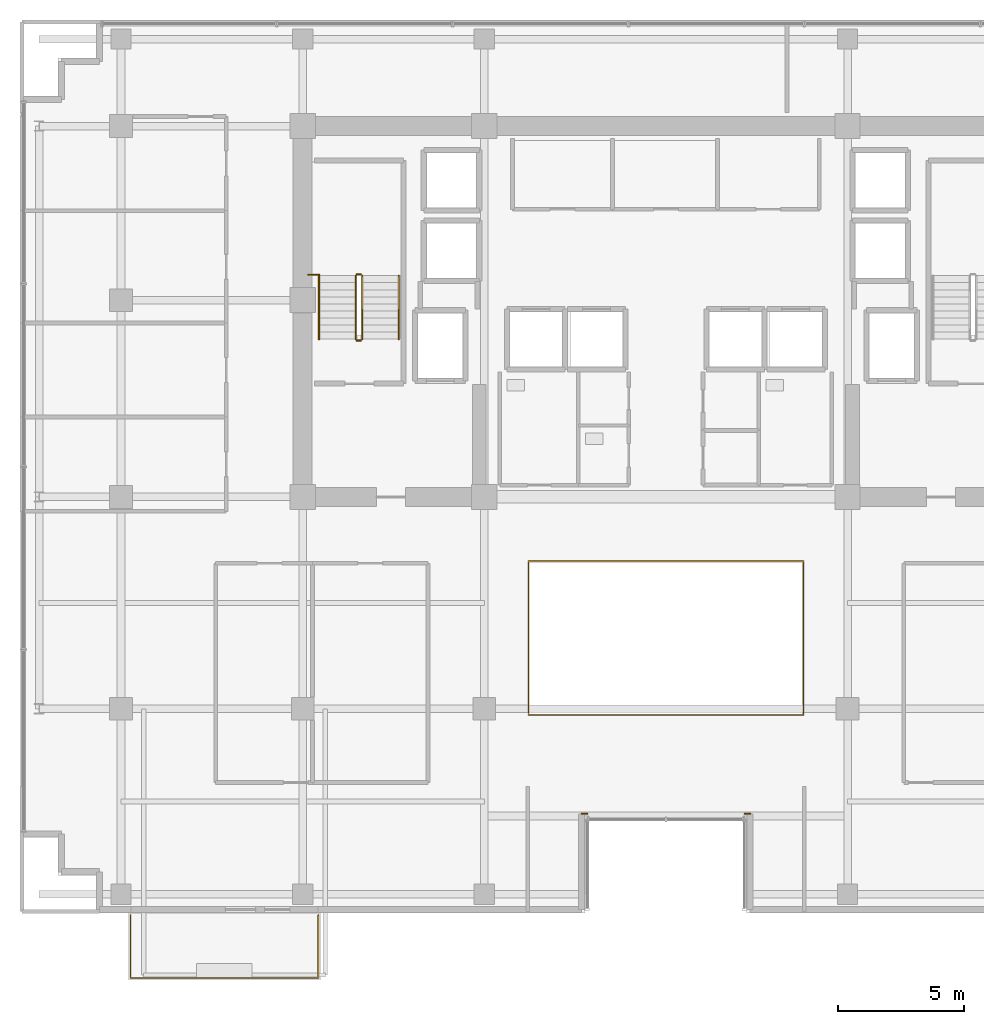
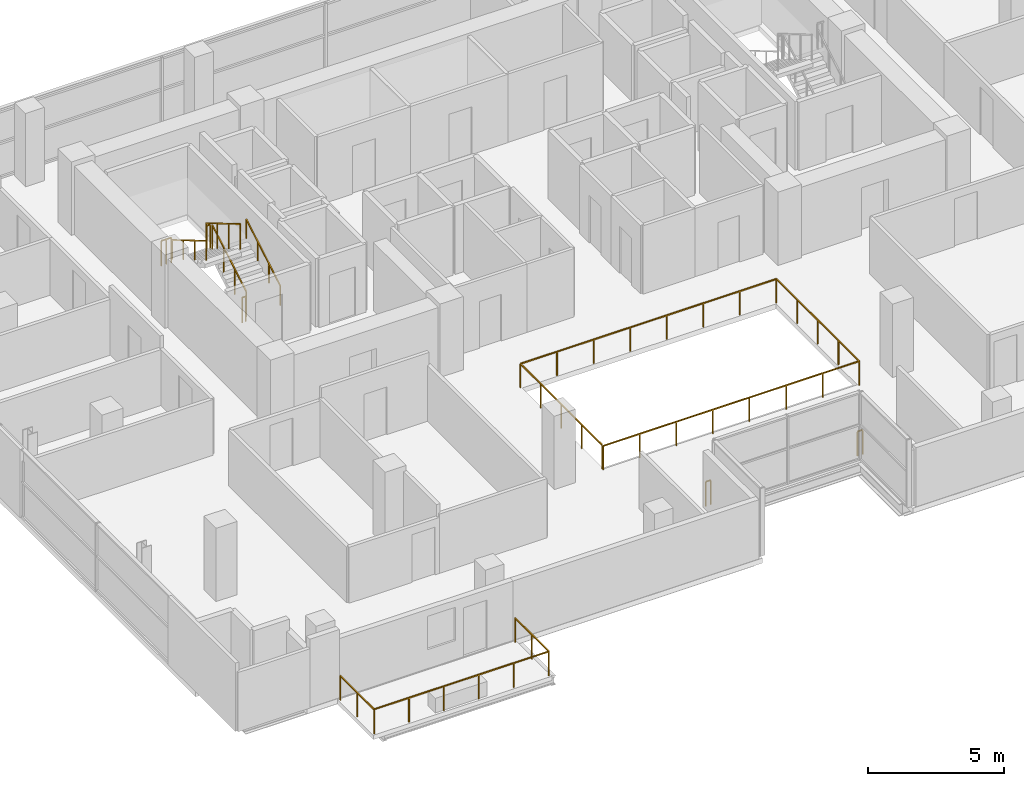
# One storey, part 21 of 24: 11 railings.
"""IFC4 building model written with IfcOpenShell, lengths in metres."""

from ifc_helpers import new_model, si_unit, direction, frame, origin, origin_2d, place, context, subcontext, project, spatial, rectangle, extrude, material, type_object, element, save


model = new_model("IFC4")

# Units and contexts
model_context = context("Model", 3, precision=1e-05, world=origin(), true_north=direction((0.0, 1.0)))
body_context = subcontext(model_context, "Body", "Model", "MODEL_VIEW")
ifc_project = project(units=[si_unit("LENGTHUNIT", "METRE"), si_unit("AREAUNIT", "SQUARE_METRE"), si_unit("VOLUMEUNIT", "CUBIC_METRE"), si_unit("PLANEANGLEUNIT", "RADIAN"), si_unit("MASSUNIT", "GRAM", prefix="KILO")], contexts=[model_context])

# Site, building, storey
site_placement = place(None, origin())
site = spatial("IfcSite", under=ifc_project, at=site_placement, CompositionType="ELEMENT")
building_placement = place(site_placement, origin())
building = spatial("IfcBuilding", under=site, at=building_placement, Name="Zarnakvel Exchange Tower", CompositionType="ELEMENT")
storey_placement = place(building_placement, frame((0.0, 0.0, 119.800048828125)))
storey = spatial("IfcBuildingStorey", under=building, at=storey_placement, Name="L33", CompositionType="ELEMENT", Elevation=119.800048828125)

# Railings
ifc_material_1 = material(Name="Architectural Bronze Anodised Aluminium", Category="aluminium")
railing_type_1 = type_object("IfcRailingType", Name="GR-02", PredefinedType="GUARDRAIL", material=ifc_material_1)
railing_1_placement = place(storey_placement, frame((-21.219970703125, -17.780029296875, -0.03515625)))
element("IfcRailing", 1, at=railing_1_placement, inside=storey, type_object=railing_type_1, Name="L33 Balcony Guardrail BAL-L33-SW", PredefinedType="GUARDRAIL", context=body_context, shape_type="SweptSolid", body=[
    extrude(rectangle(XDim=0.048095703125, YDim=0.048095703125, at=origin_2d()), frame((0.0, 0.0, 1.09619140625), z_axis=(0.0, -1.0, 0.0), x_axis=(1.0, 0.0, 0.0)), (0.0, 0.0, 1.0), 2.489990234375),
    extrude(rectangle(XDim=0.048095703125, YDim=0.048095703125, at=origin_2d()), frame((0.0, -2.489990234375, 1.09619140625), z_axis=(1.0, 0.0, 0.0), x_axis=(0.0, 1.0, 0.0)), (0.0, 0.0, 1.0), 7.43994140625),
    extrude(rectangle(XDim=0.048095703125, YDim=0.048095703125, at=origin_2d()), frame((7.43994140625, -2.489990234375, 1.09619140625), z_axis=(0.0, 1.0, 0.0), x_axis=(-1.0, 0.0, 0.0)), (0.0, 0.0, 1.0), 2.489990234375),
    extrude(rectangle(XDim=0.0419921875, YDim=0.0419921875, at=origin_2d()), origin(), (0.0, 0.0, 1.0), 1.072021484375),
    extrude(rectangle(XDim=0.0419921875, YDim=0.0419921875, at=origin_2d()), frame((0.0, -1.2451171875, 0.0)), (0.0, 0.0, 1.0), 1.072021484375),
    extrude(rectangle(XDim=0.0419921875, YDim=0.0419921875, at=origin_2d()), frame((0.0, -2.489990234375, 0.0)), (0.0, 0.0, 1.0), 1.072021484375),
    extrude(rectangle(XDim=0.0419921875, YDim=0.0419921875, at=origin_2d()), frame((1.488037109375, -2.489990234375, 0.0)), (0.0, 0.0, 1.0), 1.072021484375),
    extrude(rectangle(XDim=0.0419921875, YDim=0.0419921875, at=origin_2d()), frame((2.97607421875, -2.489990234375, 0.0)), (0.0, 0.0, 1.0), 1.072021484375),
    extrude(rectangle(XDim=0.0419921875, YDim=0.0419921875, at=origin_2d()), frame((4.4638671875, -2.489990234375, 0.0)), (0.0, 0.0, 1.0), 1.072021484375),
    extrude(rectangle(XDim=0.0419921875, YDim=0.0419921875, at=origin_2d()), frame((5.951904296875, -2.489990234375, 0.0)), (0.0, 0.0, 1.0), 1.072021484375),
    extrude(rectangle(XDim=0.0419921875, YDim=0.0419921875, at=origin_2d()), frame((7.43994140625, -2.489990234375, 0.0)), (0.0, 0.0, 1.0), 1.072021484375),
    extrude(rectangle(XDim=0.0419921875, YDim=0.0419921875, at=origin_2d()), frame((7.43994140625, -1.2451171875, 0.0)), (0.0, 0.0, 1.0), 1.072021484375),
    extrude(rectangle(XDim=0.0419921875, YDim=0.0419921875, at=origin_2d()), frame((7.43994140625, 0.0, 0.0)), (0.0, 0.0, 1.0), 1.072021484375),
])
for number, where, name in (
    (2, (3.340087890625, -13.760009765625, 0.0), "L33 Corner Spandrel Balustrade #18"),
    (3, (-3.1201171875, -13.760009765625, 0.0), "L33 Corner Spandrel Balustrade #19"),
):
    element("IfcRailing", number, at=place(storey_placement, frame(where)), inside=storey, type_object=railing_type_1, Name=name, PredefinedType="GUARDRAIL", context=body_context, shape_type="SweptSolid", body=[
        extrude(rectangle(XDim=0.048095703125, YDim=0.048095703125, at=origin_2d()), frame((0.0, 0.0, 1.09619140625), z_axis=(-1.0, 0.0, 0.0), x_axis=(0.0, -1.0, 0.0)), (0.0, 0.0, 1.0), 0.219970703125),
        extrude(rectangle(XDim=0.0419921875, YDim=0.0419921875, at=origin_2d()), origin(), (0.0, 0.0, 1.0), 1.072021484375),
        extrude(rectangle(XDim=0.0419921875, YDim=0.0419921875, at=origin_2d()), frame((-0.219970703125, 0.0, 0.0)), (0.0, 0.0, 1.0), 1.072021484375),
    ])
railing_type_2 = type_object("IfcRailingType", Name="GR-03", PredefinedType="GUARDRAIL", material=ifc_material_1)
railing_2_placement = place(storey_placement, frame((-5.449951171875, -9.85009765625, 0.0)))
element("IfcRailing", 4, at=railing_2_placement, inside=storey, type_object=railing_type_2, Name="L33 Atrium Void Perimeter Balustrade", PredefinedType="GUARDRAIL", context=body_context, shape_type="SweptSolid", body=[
    extrude(rectangle(XDim=0.048095703125, YDim=0.048095703125, at=origin_2d()), frame((0.0, 0.0, 1.076171875), z_axis=(1.0, 0.0, 0.0), x_axis=(0.0, 1.0, 0.0)), (0.0, 0.0, 1.0), 10.89990234375),
    extrude(rectangle(XDim=0.048095703125, YDim=0.048095703125, at=origin_2d()), frame((10.89990234375, 0.0, 1.076171875), z_axis=(0.0, 1.0, 0.0), x_axis=(-1.0, 0.0, 0.0)), (0.0, 0.0, 1.0), 6.10009765625),
    extrude(rectangle(XDim=0.048095703125, YDim=0.048095703125, at=origin_2d()), frame((10.89990234375, 6.10009765625, 1.076171875), z_axis=(-1.0, 0.0, 0.0), x_axis=(0.0, -1.0, 0.0)), (0.0, 0.0, 1.0), 10.89990234375),
    extrude(rectangle(XDim=0.048095703125, YDim=0.048095703125, at=origin_2d()), frame((0.0, 6.10009765625, 1.076171875), z_axis=(0.0, -1.0, 0.0), x_axis=(1.0, 0.0, 0.0)), (0.0, 0.0, 1.0), 6.02001953125),
    extrude(rectangle(XDim=0.0419921875, YDim=0.0419921875, at=origin_2d()), origin(), (0.0, 0.0, 1.0), 1.052001953125),
    extrude(rectangle(XDim=0.0419921875, YDim=0.0419921875, at=origin_2d()), frame((1.55712890625, 0.0, 0.0)), (0.0, 0.0, 1.0), 1.052001953125),
    extrude(rectangle(XDim=0.0419921875, YDim=0.0419921875, at=origin_2d()), frame((3.1142578125, 0.0, 0.0)), (0.0, 0.0, 1.0), 1.052001953125),
    extrude(rectangle(XDim=0.0419921875, YDim=0.0419921875, at=origin_2d()), frame((4.67138671875, 0.0, 0.0)), (0.0, 0.0, 1.0), 1.052001953125),
    extrude(rectangle(XDim=0.0419921875, YDim=0.0419921875, at=origin_2d()), frame((6.228515625, 0.0, 0.0)), (0.0, 0.0, 1.0), 1.052001953125),
    extrude(rectangle(XDim=0.0419921875, YDim=0.0419921875, at=origin_2d()), frame((7.78564453125, 0.0, 0.0)), (0.0, 0.0, 1.0), 1.052001953125),
    extrude(rectangle(XDim=0.0419921875, YDim=0.0419921875, at=origin_2d()), frame((9.3427734375, 0.0, 0.0)), (0.0, 0.0, 1.0), 1.052001953125),
    extrude(rectangle(XDim=0.0419921875, YDim=0.0419921875, at=origin_2d()), frame((10.89990234375, 0.0, 0.0)), (0.0, 0.0, 1.0), 1.052001953125),
    extrude(rectangle(XDim=0.0419921875, YDim=0.0419921875, at=origin_2d()), frame((10.89990234375, 1.52490234375, 0.0)), (0.0, 0.0, 1.0), 1.052001953125),
    extrude(rectangle(XDim=0.0419921875, YDim=0.0419921875, at=origin_2d()), frame((10.89990234375, 3.050048828125, 0.0)), (0.0, 0.0, 1.0), 1.052001953125),
    extrude(rectangle(XDim=0.0419921875, YDim=0.0419921875, at=origin_2d()), frame((10.89990234375, 4.5751953125, 0.0)), (0.0, 0.0, 1.0), 1.052001953125),
    extrude(rectangle(XDim=0.0419921875, YDim=0.0419921875, at=origin_2d()), frame((10.89990234375, 6.10009765625, 0.0)), (0.0, 0.0, 1.0), 1.052001953125),
    extrude(rectangle(XDim=0.0419921875, YDim=0.0419921875, at=origin_2d()), frame((9.3427734375, 6.10009765625, 0.0)), (0.0, 0.0, 1.0), 1.052001953125),
    extrude(rectangle(XDim=0.0419921875, YDim=0.0419921875, at=origin_2d()), frame((7.78564453125, 6.10009765625, 0.0)), (0.0, 0.0, 1.0), 1.052001953125),
    extrude(rectangle(XDim=0.0419921875, YDim=0.0419921875, at=origin_2d()), frame((6.228515625, 6.10009765625, 0.0)), (0.0, 0.0, 1.0), 1.052001953125),
    extrude(rectangle(XDim=0.0419921875, YDim=0.0419921875, at=origin_2d()), frame((4.67138671875, 6.10009765625, 0.0)), (0.0, 0.0, 1.0), 1.052001953125),
    extrude(rectangle(XDim=0.0419921875, YDim=0.0419921875, at=origin_2d()), frame((3.1142578125, 6.10009765625, 0.0)), (0.0, 0.0, 1.0), 1.052001953125),
    extrude(rectangle(XDim=0.0419921875, YDim=0.0419921875, at=origin_2d()), frame((1.55712890625, 6.10009765625, 0.0)), (0.0, 0.0, 1.0), 1.052001953125),
    extrude(rectangle(XDim=0.0419921875, YDim=0.0419921875, at=origin_2d()), frame((0.0, 6.10009765625, 0.0)), (0.0, 0.0, 1.0), 1.052001953125),
    extrude(rectangle(XDim=0.0419921875, YDim=0.0419921875, at=origin_2d()), frame((0.0, 4.59521484375, 0.0)), (0.0, 0.0, 1.0), 1.052001953125),
    extrude(rectangle(XDim=0.0419921875, YDim=0.0419921875, at=origin_2d()), frame((0.0, 3.090087890625, 0.0)), (0.0, 0.0, 1.0), 1.052001953125),
    extrude(rectangle(XDim=0.0419921875, YDim=0.0419921875, at=origin_2d()), frame((0.0, 1.5849609375, 0.0)), (0.0, 0.0, 1.0), 1.052001953125),
    extrude(rectangle(XDim=0.0419921875, YDim=0.0419921875, at=origin_2d()), frame((0.0, 0.080078125, 0.0)), (0.0, 0.0, 1.0), 1.052001953125),
])
ifc_material_2 = material(Name="Brushed Stainless Steel", Category="steel")
railing_type_3 = type_object("IfcRailingType", Name="HR-01", PredefinedType="HANDRAIL", material=ifc_material_2)
railing_3_placement = place(storey_placement, frame((-10.590087890625, 5.050048828125, 0.1650390625)))
element("IfcRailing", 5, at=railing_3_placement, inside=storey, type_object=railing_type_3, Name="L33 ST-01 stair handrail 1", PredefinedType="HANDRAIL", context=body_context, shape_type="SweptSolid", body=[
    extrude(rectangle(XDim=0.048095703125, YDim=0.048095703125, at=origin_2d()), frame((0.0, 0.0, 0.8759765625), z_axis=(0.0, 0.861560626758, 0.507654692109), x_axis=(-1.0, 0.0, 0.0)), (0.0, 0.0, 1.0), 2.925048828125),
    extrude(rectangle(XDim=0.0419921875, YDim=0.0419921875, at=origin_2d()), origin(), (0.0, 0.0, 1.0), 0.851806640625),
    extrude(rectangle(XDim=0.0419921875, YDim=0.0419921875, at=origin_2d()), frame((0.0, 0.840087890625, 0.494873046875)), (0.0, 0.0, 1.0), 0.851806640625),
    extrude(rectangle(XDim=0.0419921875, YDim=0.0419921875, at=origin_2d()), frame((0.0, 1.679931640625, 0.989990234375)), (0.0, 0.0, 1.0), 0.851806640625),
    extrude(rectangle(XDim=0.0419921875, YDim=0.0419921875, at=origin_2d()), frame((0.0, 2.52001953125, 1.48486328125)), (0.0, 0.0, 1.0), 0.851806640625),
])
railing_4_placement = place(storey_placement, frame((-13.75, 7.570068359375, 1.81494140625)))
element("IfcRailing", 6, at=railing_4_placement, inside=storey, type_object=railing_type_3, Name="L33 ST-01 stair handrail 2", PredefinedType="HANDRAIL", context=body_context, shape_type="SweptSolid", body=[
    extrude(rectangle(XDim=0.048095703125, YDim=0.048095703125, at=origin_2d()), frame((0.0, 0.0, 0.8759765625), z_axis=(0.0, -0.86152411907, 0.507716645641), x_axis=(1.0, 0.0, 0.0)), (0.0, 0.0, 1.0), 2.925048828125),
    extrude(rectangle(XDim=0.0419921875, YDim=0.0419921875, at=origin_2d()), origin(), (0.0, 0.0, 1.0), 0.851806640625),
    extrude(rectangle(XDim=0.0419921875, YDim=0.0419921875, at=origin_2d()), frame((0.0, -0.840087890625, 0.4951171875)), (0.0, 0.0, 1.0), 0.851806640625),
    extrude(rectangle(XDim=0.0419921875, YDim=0.0419921875, at=origin_2d()), frame((0.0, -1.679931640625, 0.989990234375)), (0.0, 0.0, 1.0), 0.851806640625),
    extrude(rectangle(XDim=0.0419921875, YDim=0.0419921875, at=origin_2d()), frame((0.0, -2.52001953125, 1.485107421875)), (0.0, 0.0, 1.0), 0.851806640625),
])
railing_type_4 = type_object("IfcRailingType", Name="SG-01", PredefinedType="GUARDRAIL", material=ifc_material_1)
railing_5_placement = place(storey_placement, frame((-12.0400390625, 5.050048828125, 0.1650390625)))
element("IfcRailing", 7, at=railing_5_placement, inside=storey, type_object=railing_type_4, Name="L33 ST-01 stair guard 1", PredefinedType="GUARDRAIL", context=body_context, shape_type="SweptSolid", body=[
    extrude(rectangle(XDim=0.048095703125, YDim=0.048095703125, at=origin_2d()), frame((0.0, 0.0, 1.1259765625), z_axis=(0.0, 0.861560626758, 0.507654692109), x_axis=(-1.0, 0.0, 0.0)), (0.0, 0.0, 1.0), 2.925048828125),
    extrude(rectangle(XDim=0.0419921875, YDim=0.0419921875, at=origin_2d()), origin(), (0.0, 0.0, 1.0), 1.101806640625),
    extrude(rectangle(XDim=0.0419921875, YDim=0.0419921875, at=origin_2d()), frame((0.0, 0.840087890625, 0.494873046875)), (0.0, 0.0, 1.0), 1.101806640625),
    extrude(rectangle(XDim=0.0419921875, YDim=0.0419921875, at=origin_2d()), frame((0.0, 1.679931640625, 0.989990234375)), (0.0, 0.0, 1.0), 1.101806640625),
    extrude(rectangle(XDim=0.0419921875, YDim=0.0419921875, at=origin_2d()), frame((0.0, 2.52001953125, 1.48486328125)), (0.0, 0.0, 1.0), 1.101806640625),
])
railing_6_placement = place(storey_placement, frame((-12.090087890625, 7.6201171875, 1.64990234375)))
element("IfcRailing", 8, at=railing_6_placement, inside=storey, type_object=railing_type_4, Name="L33 ST-01 stair guard 2", PredefinedType="GUARDRAIL", context=body_context, shape_type="SweptSolid", body=[
    extrude(rectangle(XDim=0.048095703125, YDim=0.048095703125, at=origin_2d()), frame((0.0, 0.0, 1.1259765625), z_axis=(-1.0, 0.0, 0.0), x_axis=(0.0, -1.0, 0.0)), (0.0, 0.0, 1.0), 0.159912109375),
    extrude(rectangle(XDim=0.0419921875, YDim=0.0419921875, at=origin_2d()), origin(), (0.0, 0.0, 1.0), 1.101806640625),
    extrude(rectangle(XDim=0.0419921875, YDim=0.0419921875, at=origin_2d()), frame((-0.159912109375, 0.0, 0.0)), (0.0, 0.0, 1.0), 1.101806640625),
])
railing_7_placement = place(storey_placement, frame((-12.300048828125, 7.570068359375, 1.81494140625)))
element("IfcRailing", 9, at=railing_7_placement, inside=storey, type_object=railing_type_4, Name="L33 ST-01 stair guard 3", PredefinedType="GUARDRAIL", context=body_context, shape_type="SweptSolid", body=[
    extrude(rectangle(XDim=0.048095703125, YDim=0.048095703125, at=origin_2d()), frame((0.0, 0.0, 1.1259765625), z_axis=(0.0, -0.86152411907, 0.507716645641), x_axis=(1.0, 0.0, 0.0)), (0.0, 0.0, 1.0), 2.925048828125),
    extrude(rectangle(XDim=0.0419921875, YDim=0.0419921875, at=origin_2d()), origin(), (0.0, 0.0, 1.0), 1.101806640625),
    extrude(rectangle(XDim=0.0419921875, YDim=0.0419921875, at=origin_2d()), frame((0.0, -0.840087890625, 0.4951171875)), (0.0, 0.0, 1.0), 1.101806640625),
    extrude(rectangle(XDim=0.0419921875, YDim=0.0419921875, at=origin_2d()), frame((0.0, -1.679931640625, 0.989990234375)), (0.0, 0.0, 1.0), 1.101806640625),
    extrude(rectangle(XDim=0.0419921875, YDim=0.0419921875, at=origin_2d()), frame((0.0, -2.52001953125, 1.485107421875)), (0.0, 0.0, 1.0), 1.101806640625),
])
railing_8_placement = place(storey_placement, frame((-12.090087890625, 5.0, 0.0)))
element("IfcRailing", 10, at=railing_8_placement, inside=storey, type_object=railing_type_4, Name="L33 ST-01 stair guard 4", PredefinedType="GUARDRAIL", context=body_context, shape_type="SweptSolid", body=[
    extrude(rectangle(XDim=0.048095703125, YDim=0.048095703125, at=origin_2d()), frame((0.0, 0.0, 1.1259765625), z_axis=(-1.0, 0.0, 0.0), x_axis=(0.0, -1.0, 0.0)), (0.0, 0.0, 1.0), 0.159912109375),
    extrude(rectangle(XDim=0.0419921875, YDim=0.0419921875, at=origin_2d()), origin(), (0.0, 0.0, 1.0), 1.101806640625),
    extrude(rectangle(XDim=0.0419921875, YDim=0.0419921875, at=origin_2d()), frame((-0.159912109375, 0.0, 0.0)), (0.0, 0.0, 1.0), 1.101806640625),
])
railing_9_placement = place(storey_placement, frame((-14.179931640625, 7.610107421875, 1.64990234375)))
element("IfcRailing", 11, at=railing_9_placement, inside=storey, type_object=railing_type_4, Name="L33 ST-01 Landing Slot Guardrail", PredefinedType="GUARDRAIL", context=body_context, shape_type="SweptSolid", body=[
    extrude(rectangle(XDim=0.048095703125, YDim=0.048095703125, at=origin_2d()), frame((0.0, 0.0, 1.1259765625), z_axis=(1.0, 0.0, 0.0), x_axis=(0.0, 1.0, 0.0)), (0.0, 0.0, 1.0), 0.429931640625),
    extrude(rectangle(XDim=0.0419921875, YDim=0.0419921875, at=origin_2d()), origin(), (0.0, 0.0, 1.0), 1.101806640625),
    extrude(rectangle(XDim=0.0419921875, YDim=0.0419921875, at=origin_2d()), frame((0.21484375, 0.0, 0.0)), (0.0, 0.0, 1.0), 1.101806640625),
    extrude(rectangle(XDim=0.0419921875, YDim=0.0419921875, at=origin_2d()), frame((0.429931640625, 0.0, 0.0)), (0.0, 0.0, 1.0), 1.101806640625),
])

save(model, "model.ifc")
